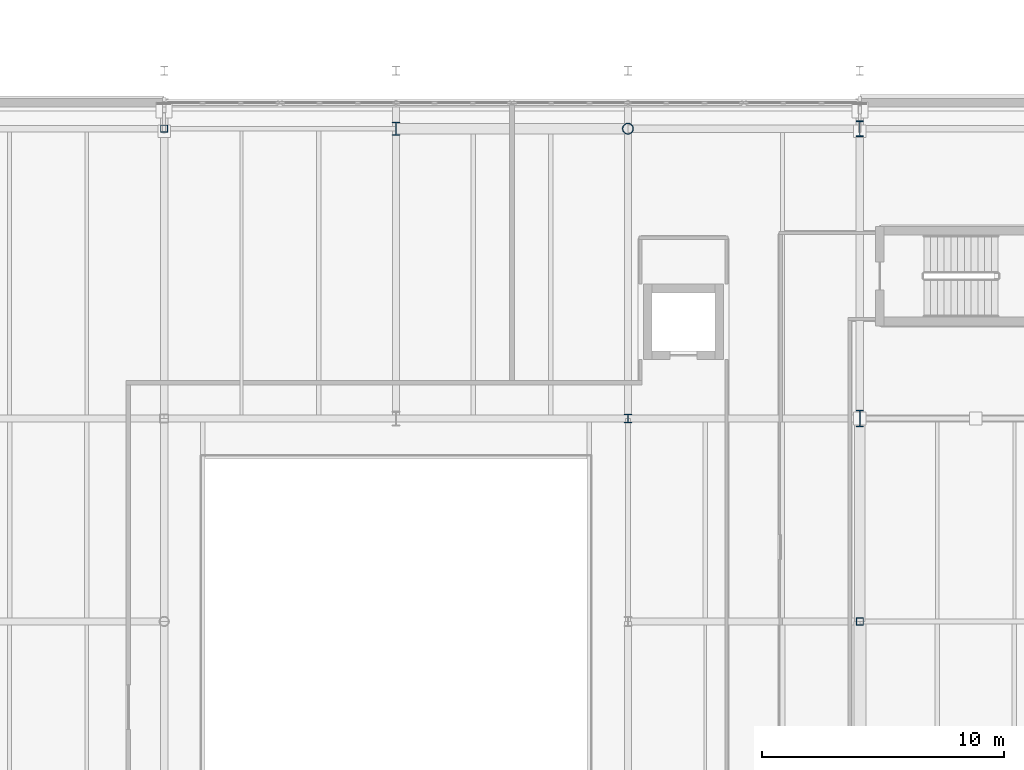
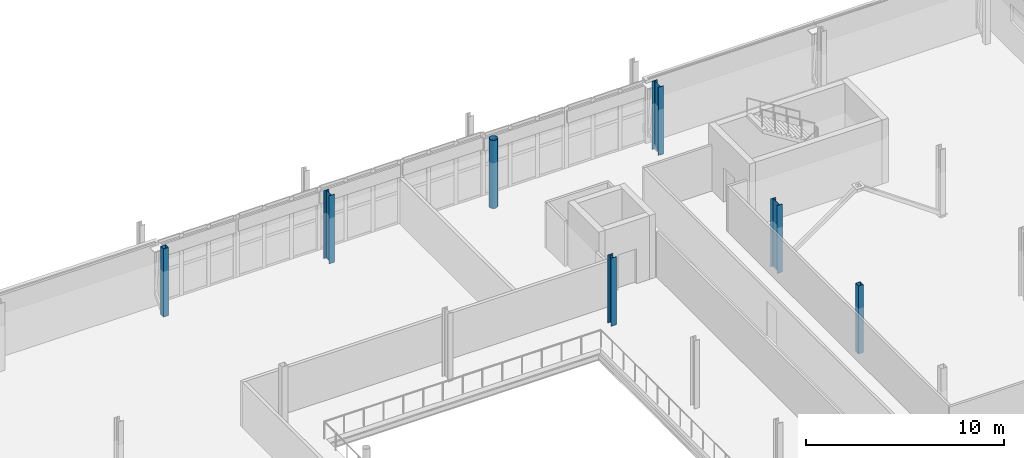
# One storey, part 6 of 57: 7 columns.
"""IFC4 building model written with IfcOpenShell, lengths in metres."""

from ifc_helpers import new_model, si_unit, direction, frame, origin, origin_2d, place, context, subcontext, project, spatial, hollow_rectangle, hollow_circle, i_section, extrude, material, material_profile, profile_set, type_object, element, save


model = new_model("IFC4")

# Units and contexts
model_context = context("Model", 3, precision=1e-05, world=origin(), true_north=direction((0.0, 1.0)))
body_context = subcontext(model_context, "Body", "Model", "MODEL_VIEW")
ifc_project = project(units=[si_unit("LENGTHUNIT", "METRE"), si_unit("AREAUNIT", "SQUARE_METRE"), si_unit("VOLUMEUNIT", "CUBIC_METRE"), si_unit("PLANEANGLEUNIT", "RADIAN"), si_unit("MASSUNIT", "GRAM", prefix="KILO")], contexts=[model_context])

# Site, building, storey
site_placement = place(None, origin())
site = spatial("IfcSite", under=ifc_project, at=site_placement, CompositionType="ELEMENT")
building_placement = place(site_placement, origin())
building = spatial("IfcBuilding", under=site, at=building_placement, Name="Zereglee Splitstone Museum", CompositionType="ELEMENT")
storey_placement = place(building_placement, frame((0.0, 0.0, 17.10009765625)))
storey = spatial("IfcBuildingStorey", under=building, at=storey_placement, Name="L03", CompositionType="ELEMENT", Elevation=17.10009765625)

# Columns
ifc_material_1 = material(Name="Steel S355J2H", Category="steel")
ifc_material_profile_1 = material_profile(ifc_material_1, hollow_circle(Radius=0.228515625, WallThickness=0.02001953125, at=origin_2d()), Name="CHS 457.0x20")
ifc_profile_set_1 = profile_set([ifc_material_profile_1], Name="Steel S355J2H")
column_type_1 = type_object("IfcColumnType", Name="C-17", PredefinedType="COLUMN", material=ifc_profile_set_1)
column_1_placement = place(storey_placement, frame((116.39990234375, 50.39990234375, 0.0), z_axis=(0.0, 0.0, 1.0), x_axis=(1.0, 0.0, 0.0)))
element("IfcColumn", 1, at=column_1_placement, inside=storey, type_object=column_type_1, Name="Column 14/F L03", PredefinedType="COLUMN", context=body_context, shape_type="SweptSolid", body=[
    extrude(hollow_circle(Radius=0.228515625, WallThickness=0.02001953125, at=origin_2d()), origin(), (0.0, 0.0, 1.0), 4.199951171875),
])
ifc_material_2 = material(Name="Steel S355J2", Category="steel")
ifc_material_profile_2 = material_profile(ifc_material_2, i_section(OverallWidth=0.300048828125, OverallDepth=0.360107421875, WebThickness=0.012451171875, FlangeThickness=0.0224609375, FilletRadius=0.027099609375, at=origin_2d()), Name="HE 360 B")
ifc_profile_set_2 = profile_set([ifc_material_profile_2], Name="Steel S355J2")
column_type_2 = type_object("IfcColumnType", Name="C-16", PredefinedType="COLUMN", material=ifc_profile_set_2)
column_2_placement = place(storey_placement, frame((116.39990234375, 38.39990234375, 0.0), z_axis=(0.0, 0.0, 1.0), x_axis=(1.0, 0.0, 0.0)))
element("IfcColumn", 2, at=column_2_placement, inside=storey, type_object=column_type_2, Name="Column 14/E L03", PredefinedType="COLUMN", context=body_context, shape_type="SweptSolid", body=[
    extrude(i_section(OverallWidth=0.300048828125, OverallDepth=0.360107421875, WebThickness=0.012451171875, FlangeThickness=0.0224609375, FilletRadius=0.027099609375, at=origin_2d()), origin(), (0.0, 0.0, 1.0), 4.199951171875),
])
ifc_material_profile_3 = material_profile(ifc_material_2, i_section(OverallWidth=0.300048828125, OverallDepth=0.550048828125, WebThickness=0.014892578125, FlangeThickness=0.029052734375, FilletRadius=0.027099609375, at=origin_2d()), Name="HE 550 B")
ifc_profile_set_3 = profile_set([ifc_material_profile_3], Name="Steel S355J2")
column_type_3 = type_object("IfcColumnType", Name="C-12", PredefinedType="COLUMN", material=ifc_profile_set_3)
column_3_placement = place(storey_placement, frame((106.800048828125, 50.39990234375, 0.0), z_axis=(0.0, 0.0, 1.0), x_axis=(1.0, 0.0, 0.0)))
element("IfcColumn", 3, at=column_3_placement, inside=storey, type_object=column_type_3, Name="Column 13/F L03", PredefinedType="COLUMN", context=body_context, shape_type="SweptSolid", body=[
    extrude(i_section(OverallWidth=0.300048828125, OverallDepth=0.550048828125, WebThickness=0.014892578125, FlangeThickness=0.029052734375, FilletRadius=0.027099609375, at=origin_2d()), origin(), (0.0, 0.0, 1.0), 4.199951171875),
])
ifc_material_profile_4 = material_profile(ifc_material_2, i_section(OverallWidth=0.300048828125, OverallDepth=0.64990234375, WebThickness=0.01611328125, FlangeThickness=0.031005859375, FilletRadius=0.027099609375, at=origin_2d()), Name="HE 650 B")
ifc_profile_set_4 = profile_set([ifc_material_profile_4], Name="Steel S355J2")
column_type_4 = type_object("IfcColumnType", Name="C-10", PredefinedType="COLUMN", material=ifc_profile_set_4)
column_4_placement = place(storey_placement, frame((126.0, 50.39990234375, 0.0), z_axis=(0.0, 0.0, 1.0), x_axis=(1.0, 0.0, 0.0)))
element("IfcColumn", 4, at=column_4_placement, inside=storey, type_object=column_type_4, Name="Column 15/F L03", PredefinedType="COLUMN", context=body_context, shape_type="SweptSolid", body=[
    extrude(i_section(OverallWidth=0.300048828125, OverallDepth=0.64990234375, WebThickness=0.01611328125, FlangeThickness=0.031005859375, FilletRadius=0.027099609375, at=origin_2d()), origin(), (0.0, 0.0, 1.0), 4.199951171875),
])
ifc_material_profile_5 = material_profile(ifc_material_2, i_section(OverallWidth=0.300048828125, OverallDepth=0.699951171875, WebThickness=0.01708984375, FlangeThickness=0.031982421875, FilletRadius=0.027099609375, at=origin_2d()), Name="HE 700 B")
ifc_profile_set_5 = profile_set([ifc_material_profile_5], Name="Steel S355J2")
column_type_5 = type_object("IfcColumnType", Name="C-09", PredefinedType="COLUMN", material=ifc_profile_set_5)
column_5_placement = place(storey_placement, frame((126.0, 38.39990234375, 0.0), z_axis=(0.0, 0.0, 1.0), x_axis=(1.0, 0.0, 0.0)))
element("IfcColumn", 5, at=column_5_placement, inside=storey, type_object=column_type_5, Name="Column 15/E L03", PredefinedType="COLUMN", context=body_context, shape_type="SweptSolid", body=[
    extrude(i_section(OverallWidth=0.300048828125, OverallDepth=0.699951171875, WebThickness=0.01708984375, FlangeThickness=0.031982421875, FilletRadius=0.027099609375, at=origin_2d()), origin(), (0.0, 0.0, 1.0), 4.199951171875),
])
ifc_material_profile_6 = material_profile(ifc_material_1, hollow_rectangle(XDim=0.300048828125, YDim=0.300048828125, WallThickness=0.01611328125, at=origin_2d()), Name="SHS 300x300x16")
ifc_profile_set_6 = profile_set([ifc_material_profile_6], Name="Steel S355J2H")
column_type_6 = type_object("IfcColumnType", Name="C-20", PredefinedType="COLUMN", material=ifc_profile_set_6)
for number, where, z_axis, x_axis, name in (
    (6, (97.199951171875, 50.39990234375, 0.0), (0.0, 0.0, 1.0), (1.0, 0.0, 0.0), "Column 12/F L03"),
    (7, (126.0, 30.0, 0.0), (0.0, 0.0, 1.0), (1.0, 0.0, 0.0), "Column 15/D L03"),
):
    element("IfcColumn", number, at=place(storey_placement, frame(where, z_axis=z_axis, x_axis=x_axis)), inside=storey, type_object=column_type_6, Name=name, PredefinedType="COLUMN", context=body_context, shape_type="SweptSolid", body=[
        extrude(hollow_rectangle(XDim=0.300048828125, YDim=0.300048828125, WallThickness=0.01611328125, at=origin_2d()), origin(), (0.0, 0.0, 1.0), 4.199951171875),
    ])

save(model, "model.ifc")
